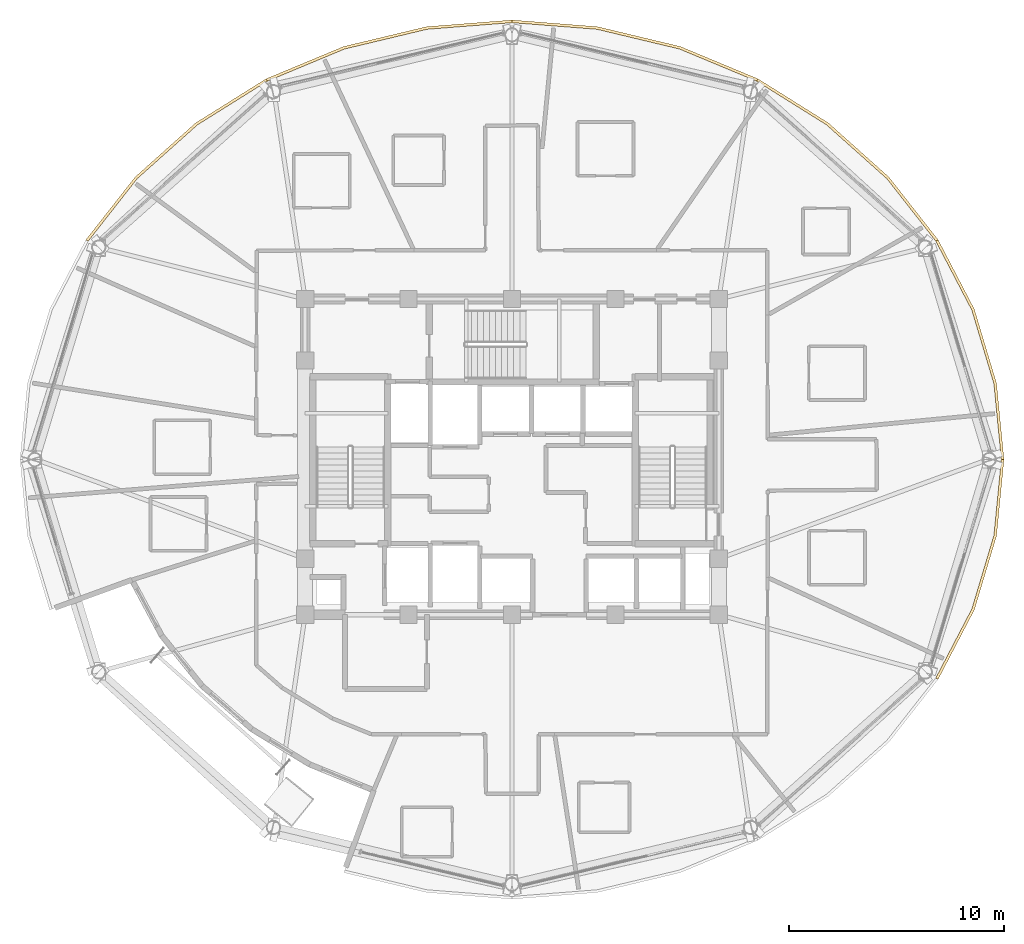
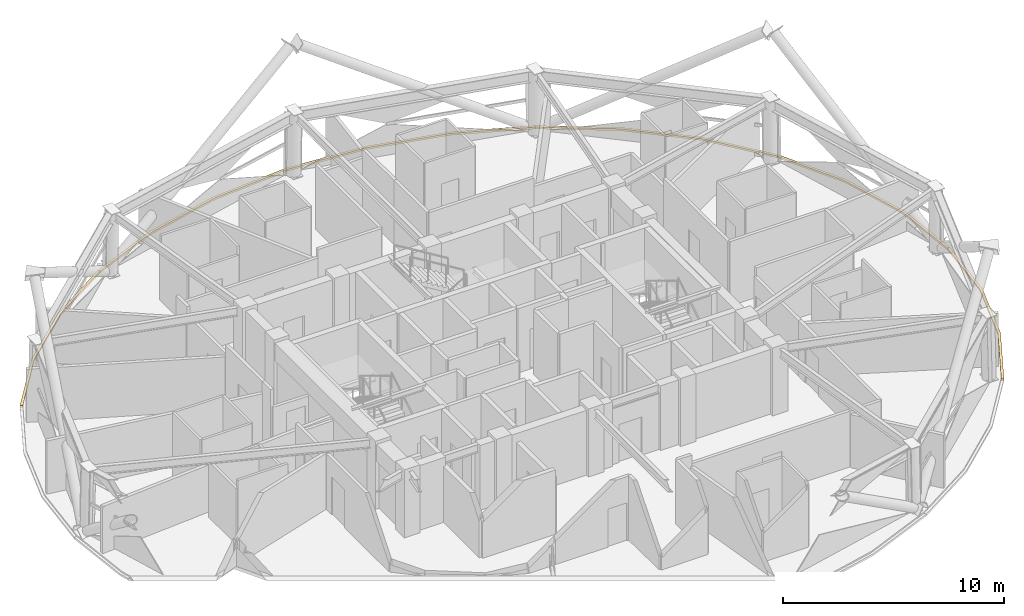
# One storey, part 18 of 18: 6 coverings.
"""IFC4 building model written with IfcOpenShell, lengths in metres."""

import ifcopenshell
import ifcopenshell.guid

model = None  # the IFC model being written
_history = None  # IfcOwnerHistory: only IFC2X3 demands one
_inside = {}  # id of a spatial element -> (the spatial element, [elements in it])
_under = {}  # id of a project, library or spatial element -> (it, [spatial elements below it])
_declared = {}  # id of a project -> (the project, [libraries it declares])
_typed = {}  # id of a type object -> (the type object, [elements of that type])
_made_of = {}  # id of a material, layer set ... -> (it, [elements and type objects made of it])


def new_model(schema):
    """Start an empty IFC model of exactly this schema.

    Asked for "IFC4X3", IfcOpenShell would pick the latest addendum, in which some entities
    have other attributes; the version numbers below select the first issue.
    IFC2X3 requires an IfcOwnerHistory on every rooted entity: one is made here for all.
    """
    global model, _history
    if schema == "IFC4X3":
        model = ifcopenshell.file(schema_version=(4, 3, 0, 0))
    else:
        model = ifcopenshell.file(schema=schema)
    _inside.clear()
    _under.clear()
    _declared.clear()
    _typed.clear()
    _made_of.clear()
    _history = None
    if model.schema == "IFC2X3":
        org = make("IfcOrganization", Name="unknown")
        user = make(
            "IfcPersonAndOrganization",
            ThePerson=make("IfcPerson", FamilyName="unknown"),
            TheOrganization=org,
        )
        app = make(
            "IfcApplication",
            ApplicationDeveloper=org,
            Version="unknown",
            ApplicationFullName="unknown",
            ApplicationIdentifier="unknown",
        )
        _history = make(
            "IfcOwnerHistory",
            OwningUser=user,
            OwningApplication=app,
            ChangeAction="ADDED",
            CreationDate=0,
        )
    return model


def make(cls, **values):
    """One entity of the class cls with the attributes given. An attribute that is None is left unset."""
    return model.create_entity(
        cls, **{name: value for name, value in values.items() if value is not None}
    )


def rooted(cls, **values):
    """An entity with a GlobalId (a new one), such as an element, a storey or a relation."""
    return make(cls, GlobalId=ifcopenshell.guid.new(), OwnerHistory=_history, **values)


def si_unit(unit_type, name, prefix=None):
    """IfcSIUnit, for example si_unit("LENGTHUNIT", "METRE", prefix="MILLI")."""
    return make("IfcSIUnit", UnitType=unit_type, Prefix=prefix, Name=name)


def assignment(units):
    """IfcUnitAssignment: the units of a project."""
    return None if units is None else make("IfcUnitAssignment", Units=units)


def point(xyz):
    """IfcCartesianPoint."""
    return None if xyz is None else make("IfcCartesianPoint", Coordinates=xyz)


def direction(xyz):
    """IfcDirection."""
    return None if xyz is None else make("IfcDirection", DirectionRatios=xyz)


def frame(location, z_axis=None, x_axis=None):
    """IfcAxis2Placement3D, a coordinate frame: its origin and axes. An axis left out is left unset."""
    return make(
        "IfcAxis2Placement3D",
        Location=point(location),
        Axis=direction(z_axis),
        RefDirection=direction(x_axis),
    )


def origin():
    """The frame at (0, 0, 0) with its axes left unset."""
    return frame((0.0, 0.0, 0.0))


def place(relative_to, where):
    """IfcLocalPlacement: puts the frame where relative to a parent placement (None: the world)."""
    return make(
        "IfcLocalPlacement", PlacementRelTo=relative_to, RelativePlacement=where
    )


def context(
    kind, dimensions, precision=None, world=None, true_north=None, identifier=None
):
    """IfcGeometricRepresentationContext, for example the 3D "Model" context."""
    return make(
        "IfcGeometricRepresentationContext",
        ContextIdentifier=identifier,
        ContextType=kind,
        CoordinateSpaceDimension=dimensions,
        Precision=precision,
        WorldCoordinateSystem=world,
        TrueNorth=true_north,
    )


def subcontext(parent, identifier, kind, view, scale=None):
    """IfcGeometricRepresentationSubContext, for example "Body" below "Model"."""
    return make(
        "IfcGeometricRepresentationSubContext",
        ContextIdentifier=identifier,
        ContextType=kind,
        ParentContext=parent,
        TargetScale=scale,
        TargetView=view,
    )


def project(units=None, contexts=None):
    """IfcProject with its units and contexts."""
    return rooted(
        "IfcProject",
        Name="project",
        RepresentationContexts=contexts,
        UnitsInContext=assignment(units),
    )


def spatial(cls, under=None, at=None, **own):
    """A site, building, storey or space (cls), placed at a placement, below another one or the project."""
    s = rooted(cls, ObjectPlacement=at, **own)
    if under is not None:
        _under.setdefault(under.id(), (under, []))[1].append(s)
    return s


def polyline(points):
    """IfcPolyline through the points."""
    return make("IfcPolyline", Points=[point(p) for p in points])


def outline(outer, holes=None, kind="AREA"):
    """IfcArbitraryClosedProfileDef: a profile drawn as a closed curve; with holes, ...WithVoids."""
    if holes is None:
        return make("IfcArbitraryClosedProfileDef", ProfileType=kind, OuterCurve=outer)
    return make(
        "IfcArbitraryProfileDefWithVoids",
        ProfileType=kind,
        OuterCurve=outer,
        InnerCurves=holes,
    )


def extrude(swept, where, along, depth):
    """IfcExtrudedAreaSolid: the profile swept, set in the frame where, extruded along a direction by depth."""
    return make(
        "IfcExtrudedAreaSolid",
        SweptArea=swept,
        Position=where,
        ExtrudedDirection=direction(along),
        Depth=depth,
    )


def shape(context_of_items, identifier, shape_type, items):
    """IfcShapeRepresentation: the items that make up one representation, for example the "Body"."""
    return make(
        "IfcShapeRepresentation",
        ContextOfItems=context_of_items,
        RepresentationIdentifier=identifier,
        RepresentationType=shape_type,
        Items=items,
    )


def material(Name=None, Category=None):
    """IfcMaterial."""
    return make("IfcMaterial", Name=Name, Category=Category)


def layer(
    of_material, thickness, ventilated=None, Name=None, Category=None, Priority=None
):
    """IfcMaterialLayer: one layer of a wall or slab, of a material (None: an air gap)."""
    return make(
        "IfcMaterialLayer",
        Material=of_material,
        LayerThickness=thickness,
        IsVentilated=ventilated,
        Name=Name,
        Category=Category,
        Priority=Priority,
    )


def layer_set(layers, Name=None):
    """IfcMaterialLayerSet."""
    return make("IfcMaterialLayerSet", MaterialLayers=layers, LayerSetName=Name)


def made_of(thing, what):
    """Note that an element or type object is made of a material, layer set ...; save() writes the relation."""
    if what is not None:
        _made_of.setdefault(what.id(), (what, []))[1].append(thing)
    return thing


def type_object(cls, material=None, **own):
    """A type object (cls), such as IfcWallType, which elements share."""
    return made_of(rooted(cls, **own), material)


def element(
    cls,
    number,
    at=None,
    inside=None,
    cuts=None,
    type_object=None,
    material=None,
    context=None,
    identifier="Body",
    shape_type=None,
    held_by="IfcProductDefinitionShape",
    body=None,
    shapes=None,
    **own,
):
    """One element of the class cls, such as IfcWall. Its Tag is "e" and its number.

    at: its placement. inside: the storey or other place that contains it. cuts: it is an
    opening in that element (IfcRelVoidsElement). A single representation is given by context,
    identifier, shape_type and body (its items); several are given by shapes. held_by: the class
    of the entity that holds the representations. save() writes the other relations.
    """
    e = rooted(cls, Tag="e%d" % number, ObjectPlacement=at, **own)
    if body is not None:
        shapes = [shape(context, identifier, shape_type, body)]
    if shapes is not None:
        e.Representation = make(held_by, Representations=shapes)
    if inside is not None:
        _inside.setdefault(inside.id(), (inside, []))[1].append(e)
    if cuts is not None:
        rooted(
            "IfcRelVoidsElement", RelatingBuildingElement=cuts, RelatedOpeningElement=e
        )
    if type_object is not None:
        _typed.setdefault(type_object.id(), (type_object, []))[1].append(e)
    return made_of(e, material)


def aggregate(whole, parts):
    """IfcRelAggregates: a whole, such as a stair, and the parts it consists of."""
    return rooted("IfcRelAggregates", RelatingObject=whole, RelatedObjects=parts)


def save(model, path):
    """Write the relations noted so far, then the file.

    IfcRelAggregates (storeys below a building ...), IfcRelContainedInSpatialStructure (elements
    in a storey), IfcRelDefinesByType, IfcRelAssociatesMaterial and IfcRelDeclares: one each for
    every whole, place, type object, material and project.
    """
    for whole, parts in _under.values():
        aggregate(whole, parts)
    for where, things in _inside.values():
        rooted(
            "IfcRelContainedInSpatialStructure",
            RelatedElements=things,
            RelatingStructure=where,
        )
    for kind, things in _typed.values():
        rooted("IfcRelDefinesByType", RelatedObjects=things, RelatingType=kind)
    for what, things in _made_of.values():
        rooted("IfcRelAssociatesMaterial", RelatedObjects=things, RelatingMaterial=what)
    for by, libraries in _declared.values():
        rooted("IfcRelDeclares", RelatingContext=by, RelatedDefinitions=libraries)
    model.write(path)


model = new_model("IFC4")

# Units and contexts
model_context = context("Model", 3, precision=1e-05, world=origin(), true_north=direction((0.0, 1.0)))
body_context = subcontext(model_context, "Body", "Model", "MODEL_VIEW")
ifc_project = project(units=[si_unit("LENGTHUNIT", "METRE"), si_unit("AREAUNIT", "SQUARE_METRE"), si_unit("VOLUMEUNIT", "CUBIC_METRE"), si_unit("PLANEANGLEUNIT", "RADIAN"), si_unit("MASSUNIT", "GRAM", prefix="KILO")], contexts=[model_context])

# Site, building, storey
site_placement = place(None, origin())
site = spatial("IfcSite", under=ifc_project, at=site_placement, CompositionType="ELEMENT")
building_placement = place(site_placement, origin())
building = spatial("IfcBuilding", under=site, at=building_placement, Name="Vantalir Tower", CompositionType="ELEMENT")
storey_placement = place(building_placement, frame((0.0, 0.0, 212.39990234375)))
storey = spatial("IfcBuildingStorey", under=building, at=storey_placement, Name="L53", CompositionType="ELEMENT", Elevation=212.39990234375)

# Coverings
ifc_material = material(Name="Anodised champagne aluminium sill fascia", Category="aluminium")
ifc_layer = layer(ifc_material, 0.125)
ifc_layer_set = layer_set([ifc_layer], Name="Anodised champagne aluminium sill fascia")
covering_type = type_object("IfcCoveringType", Name="COV-SLAB-FASCIA-125", PredefinedType="CLADDING", material=ifc_layer_set)
covering_1_placement = place(storey_placement, frame((0.0, 0.0, -0.179931640625)))
element("IfcCovering", 1, at=covering_1_placement, inside=storey, type_object=covering_type, Name="L53 Perimeter Slab-Edge Sill Fascia 01", PredefinedType="CLADDING", context=body_context, shape_type="SweptSolid", body=[
    extrude(outline(polyline([(54.3359375, 25.0), (53.989013671875, 28.54296875), (52.958984375, 31.97802734375), (51.277099609375, 35.200927734375), (51.16796875, 35.137939453125), (52.841064453125, 31.93505859375), (53.865966796875, 28.52099609375), (54.2109375, 25.0), (54.3359375, 25.0)])), origin(), (0.0, 0.0, 1.0), 0.10498046875),
])
covering_2_placement = place(storey_placement, frame((0.0, 0.0, -0.179931640625)))
element("IfcCovering", 2, at=covering_2_placement, inside=storey, type_object=covering_type, Name="L53 Perimeter Slab-Edge Sill Fascia 02", PredefinedType="CLADDING", context=body_context, shape_type="SweptSolid", body=[
    extrude(outline(polyline([(51.277099609375, 35.200927734375), (48.992919921875, 38.114013671875), (46.178955078125, 40.62890625), (42.91796875, 42.6689453125), (42.85595703125, 42.56005859375), (46.097900390625, 40.532958984375), (48.89794921875, 38.033935546875), (51.16796875, 35.137939453125), (51.277099609375, 35.200927734375)])), origin(), (0.0, 0.0, 1.0), 0.10498046875),
])
covering_3_placement = place(storey_placement, frame((0.0, 0.0, -0.179931640625)))
element("IfcCovering", 3, at=covering_3_placement, inside=storey, type_object=covering_type, Name="L53 Perimeter Slab-Edge Sill Fascia 03", PredefinedType="CLADDING", context=body_context, shape_type="SweptSolid", body=[
    extrude(outline(polyline([(42.91796875, 42.6689453125), (39.31005859375, 44.172119140625), (35.465087890625, 45.092041015625), (31.5, 45.402099609375), (31.5, 45.277099609375), (35.444091796875, 44.968994140625), (39.26806640625, 44.053955078125), (42.85595703125, 42.56005859375), (42.91796875, 42.6689453125)])), origin(), (0.0, 0.0, 1.0), 0.10498046875),
])
covering_4_placement = place(storey_placement, frame((0.0, 0.0, -0.179931640625)))
element("IfcCovering", 4, at=covering_4_placement, inside=storey, type_object=covering_type, Name="L53 Perimeter Slab-Edge Sill Fascia 04", PredefinedType="CLADDING", context=body_context, shape_type="SweptSolid", body=[
    extrude(outline(polyline([(31.5, 45.402099609375), (27.534912109375, 45.092041015625), (23.68994140625, 44.172119140625), (20.08203125, 42.6689453125), (20.14501953125, 42.56005859375), (23.73193359375, 44.053955078125), (27.555908203125, 44.968994140625), (31.5, 45.277099609375), (31.5, 45.402099609375)])), origin(), (0.0, 0.0, 1.0), 0.10498046875),
])
covering_5_placement = place(storey_placement, frame((0.0, 0.0, -0.179931640625)))
element("IfcCovering", 5, at=covering_5_placement, inside=storey, type_object=covering_type, Name="L53 Perimeter Slab-Edge Sill Fascia 05", PredefinedType="CLADDING", context=body_context, shape_type="SweptSolid", body=[
    extrude(outline(polyline([(20.08203125, 42.6689453125), (16.821044921875, 40.62890625), (14.007080078125, 38.114013671875), (11.722900390625, 35.200927734375), (11.83203125, 35.137939453125), (14.10205078125, 38.033935546875), (16.902099609375, 40.532958984375), (20.14501953125, 42.56005859375), (20.08203125, 42.6689453125)])), origin(), (0.0, 0.0, 1.0), 0.10498046875),
])
covering_6_placement = place(storey_placement, frame((0.0, 0.0, -0.179931640625)))
element("IfcCovering", 6, at=covering_6_placement, inside=storey, type_object=covering_type, Name="L53 Perimeter Slab-Edge Sill Fascia 12", PredefinedType="CLADDING", context=body_context, shape_type="SweptSolid", body=[
    extrude(outline(polyline([(51.277099609375, 14.799072265625), (52.958984375, 18.02197265625), (53.989013671875, 21.45703125), (54.3359375, 25.0), (54.2109375, 25.0), (53.865966796875, 21.47900390625), (52.841064453125, 18.06494140625), (51.16796875, 14.861083984375), (51.277099609375, 14.799072265625)])), origin(), (0.0, 0.0, 1.0), 0.10498046875),
])

save(model, "model.ifc")
